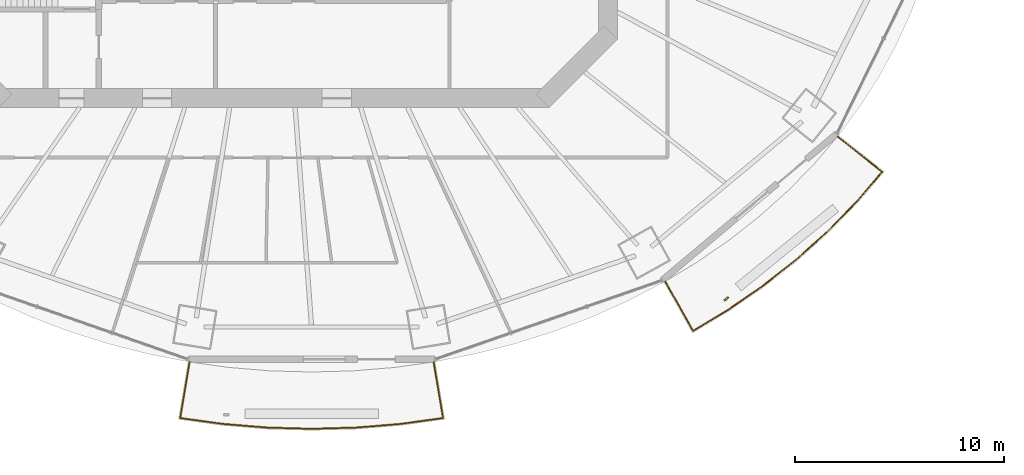
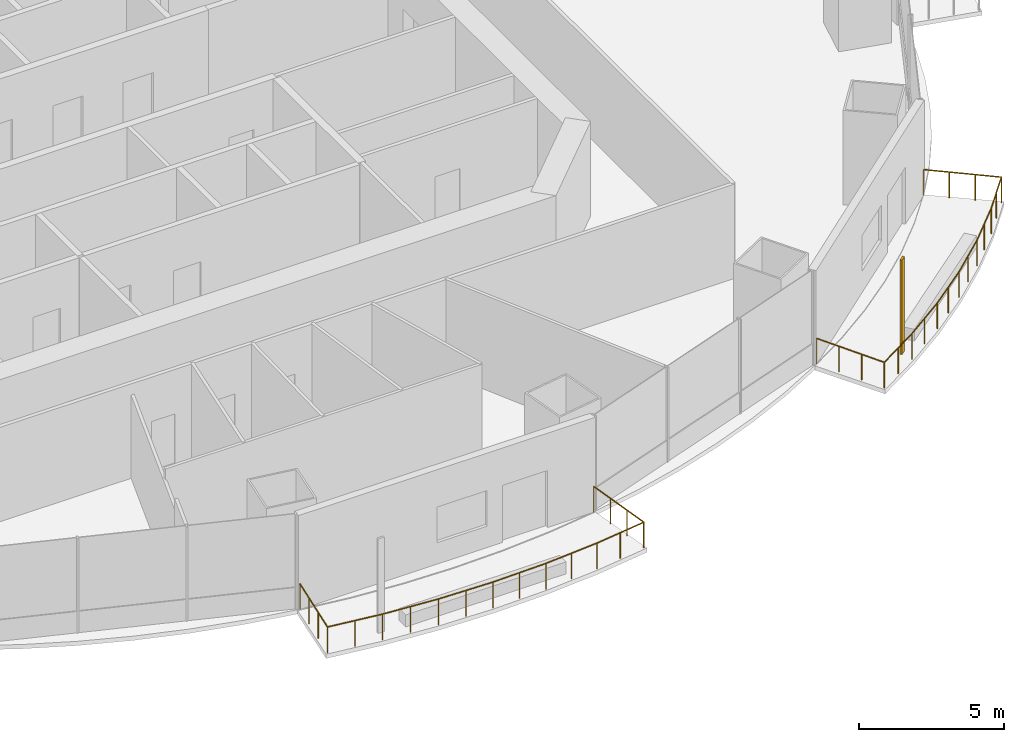
# One storey, part 15 of 19: 2 railings, 1 shading device.
"""IFC4 building model written with IfcOpenShell, lengths in metres."""

from ifc_helpers import new_model, si_unit, direction, frame, origin, origin_2d, place, context, subcontext, project, spatial, rectangle, circle, extrude, material, material_profile, profile_set, type_object, element, save


model = new_model("IFC4")

# Units and contexts
model_context = context("Model", 3, precision=1e-05, world=origin(), true_north=direction((0.0, 1.0)))
body_context = subcontext(model_context, "Body", "Model", "MODEL_VIEW")
ifc_project = project(units=[si_unit("LENGTHUNIT", "METRE"), si_unit("AREAUNIT", "SQUARE_METRE"), si_unit("VOLUMEUNIT", "CUBIC_METRE"), si_unit("PLANEANGLEUNIT", "RADIAN"), si_unit("MASSUNIT", "GRAM", prefix="KILO")], contexts=[model_context])

# Site, building, storey
site_placement = place(None, origin())
site = spatial("IfcSite", under=ifc_project, at=site_placement, CompositionType="ELEMENT")
building_placement = place(site_placement, origin())
building = spatial("IfcBuilding", under=site, at=building_placement, Name="Marenthal Gate Tower", CompositionType="ELEMENT")
storey_placement = place(building_placement, frame((0.0, 0.0, 235.75)))
storey = spatial("IfcBuildingStorey", under=building, at=storey_placement, Name="L52", CompositionType="ELEMENT", Elevation=235.75)

# Railings
ifc_material_1 = material(Name="Stainless steel", Category="steel")
railing_type = type_object("IfcRailingType", Name="Balcony guard 1100", PredefinedType="GUARDRAIL", material=ifc_material_1)
railing_1_placement = place(storey_placement, frame((7.64501953125, -25.641845703125, 0.0)))
element("IfcRailing", 1, at=railing_1_placement, inside=storey, type_object=railing_type, Name="Balcony guard L52 bay 12", PredefinedType="GUARDRAIL", context=body_context, shape_type="SweptSolid", body=[
    extrude(circle(Radius=0.02392578125, at=origin_2d()), frame((0.0, 0.0, 1.076171875), z_axis=(0.164948720809, -0.986192324793, -0.014717948973), x_axis=(0.986299155665, 0.164966589145, 0.0)), (0.0, 0.0, 1.0), 2.720458984375),
    extrude(circle(Radius=0.02392578125, at=origin_2d()), frame((0.44873046875, -2.682861328125, 1.0361328125), z_axis=(-0.990660551033, -0.13635128392, 0.0), x_axis=(0.13635128392, -0.990660551033, 0.0)), (0.0, 0.0, 1.0), 2.050048828125),
    extrude(circle(Radius=0.02392578125, at=origin_2d()), frame((-1.582275390625, -2.96240234375, 1.0361328125), z_axis=(-0.996592931449, -0.082477445314, 0.0), x_axis=(0.082477445314, -0.996592931449, 0.0)), (0.0, 0.0, 1.0), 2.13427734375),
    extrude(circle(Radius=0.02392578125, at=origin_2d()), frame((-3.709228515625, -3.138427734375, 1.0361328125), z_axis=(-0.999620737923, -0.027538705743, 0.0), x_axis=(0.027538705743, -0.999620737923, 0.0)), (0.0, 0.0, 1.0), 2.136474609375),
    extrude(circle(Radius=0.02392578125, at=origin_2d()), frame((-5.844970703125, -3.197265625, 1.0361328125), z_axis=(-0.999620737923, 0.027538705743, 0.0), x_axis=(-0.027538705743, -0.999620737923, 0.0)), (0.0, 0.0, 1.0), 2.136474609375),
    extrude(circle(Radius=0.02392578125, at=origin_2d()), frame((-7.980712890625, -3.138427734375, 1.0361328125), z_axis=(-0.996593709479, 0.082468043674, 0.0), x_axis=(-0.082468043674, -0.996593709479, 0.0)), (0.0, 0.0, 1.0), 2.134521484375),
    extrude(circle(Radius=0.02392578125, at=origin_2d()), frame((-10.10791015625, -2.96240234375, 1.0361328125), z_axis=(-0.990660551033, 0.13635128392, 0.0), x_axis=(-0.13635128392, -0.990660551033, 0.0)), (0.0, 0.0, 1.0), 2.050048828125),
    extrude(circle(Radius=0.02392578125, at=origin_2d()), frame((-12.138916015625, -2.682861328125, 1.0361328125), z_axis=(0.165036020711, 0.986177722452, 0.014717731048), x_axis=(-0.986284548578, 0.165053897974, 0.0)), (0.0, 0.0, 1.0), 2.720458984375),
    extrude(circle(Radius=0.02099609375, at=origin_2d()), origin(), (0.0, 0.0, 1.0), 1.052001953125),
    extrude(circle(Radius=0.02099609375, at=origin_2d()), frame((0.149658203125, -0.894287109375, -0.013427734375)), (0.0, 0.0, 1.0), 1.052001953125),
    extrude(circle(Radius=0.02099609375, at=origin_2d()), frame((0.299072265625, -1.78857421875, -0.026611328125)), (0.0, 0.0, 1.0), 1.052001953125),
    extrude(circle(Radius=0.02099609375, at=origin_2d()), frame((0.44873046875, -2.682861328125, -0.0400390625)), (0.0, 0.0, 1.0), 1.052001953125),
    extrude(circle(Radius=0.02099609375, at=origin_2d()), frame((-0.56689453125, -2.82275390625, -0.0400390625)), (0.0, 0.0, 1.0), 1.052001953125),
    extrude(circle(Radius=0.02099609375, at=origin_2d()), frame((-1.582275390625, -2.96240234375, -0.0400390625)), (0.0, 0.0, 1.0), 1.052001953125),
    extrude(circle(Radius=0.02099609375, at=origin_2d()), frame((-2.645751953125, -3.05029296875, -0.0400390625)), (0.0, 0.0, 1.0), 1.052001953125),
    extrude(circle(Radius=0.02099609375, at=origin_2d()), frame((-3.709228515625, -3.138427734375, -0.0400390625)), (0.0, 0.0, 1.0), 1.052001953125),
    extrude(circle(Radius=0.02099609375, at=origin_2d()), frame((-4.777099609375, -3.16796875, -0.0400390625)), (0.0, 0.0, 1.0), 1.052001953125),
    extrude(circle(Radius=0.02099609375, at=origin_2d()), frame((-5.844970703125, -3.197265625, -0.0400390625)), (0.0, 0.0, 1.0), 1.052001953125),
    extrude(circle(Radius=0.02099609375, at=origin_2d()), frame((-6.912841796875, -3.16796875, -0.0400390625)), (0.0, 0.0, 1.0), 1.052001953125),
    extrude(circle(Radius=0.02099609375, at=origin_2d()), frame((-7.980712890625, -3.138427734375, -0.0400390625)), (0.0, 0.0, 1.0), 1.052001953125),
    extrude(circle(Radius=0.02099609375, at=origin_2d()), frame((-9.04443359375, -3.05029296875, -0.0400390625)), (0.0, 0.0, 1.0), 1.052001953125),
    extrude(circle(Radius=0.02099609375, at=origin_2d()), frame((-10.10791015625, -2.96240234375, -0.0400390625)), (0.0, 0.0, 1.0), 1.052001953125),
    extrude(circle(Radius=0.02099609375, at=origin_2d()), frame((-11.12353515625, -2.82275390625, -0.0400390625)), (0.0, 0.0, 1.0), 1.052001953125),
    extrude(circle(Radius=0.02099609375, at=origin_2d()), frame((-12.138916015625, -2.682861328125, -0.0400390625)), (0.0, 0.0, 1.0), 1.052001953125),
    extrude(circle(Radius=0.02099609375, at=origin_2d()), frame((-11.9892578125, -1.78857421875, -0.026611328125)), (0.0, 0.0, 1.0), 1.052001953125),
    extrude(circle(Radius=0.02099609375, at=origin_2d()), frame((-11.839599609375, -0.894287109375, -0.013427734375)), (0.0, 0.0, 1.0), 1.052001953125),
    extrude(circle(Radius=0.02099609375, at=origin_2d()), frame((-11.68994140625, 0.0, 0.0)), (0.0, 0.0, 1.0), 1.052001953125),
])
railing_2_placement = place(storey_placement, frame((26.997802734375, -14.84033203125, 0.0)))
element("IfcRailing", 2, at=railing_2_placement, inside=storey, type_object=railing_type, Name="Balcony guard L52 bay 14", PredefinedType="GUARDRAIL", context=body_context, shape_type="SweptSolid", body=[
    extrude(circle(Radius=0.02392578125, at=origin_2d()), frame((0.0, 0.0, 1.076171875), z_axis=(0.782977160261, -0.621876288795, -0.014718965415), x_axis=(0.621943663853, 0.783061989241, 0.0)), (0.0, 0.0, 1.0), 2.72021484375),
    extrude(circle(Radius=0.02392578125, at=origin_2d()), frame((2.1298828125, -1.691650390625, 1.0361328125), z_axis=(-0.649918406787, -0.760003989805, 0.0), x_axis=(0.760003989805, -0.649918406787, 0.0)), (0.0, 0.0, 1.0), 1.889404296875),
    extrude(circle(Radius=0.02392578125, at=origin_2d()), frame((0.90185546875, -3.127685546875, 1.0361328125), z_axis=(-0.698634154887, -0.715479082591, 0.0), x_axis=(0.715479082591, -0.698634154887, 0.0)), (0.0, 0.0, 1.0), 1.985595703125),
    extrude(circle(Radius=0.02392578125, at=origin_2d()), frame((-0.4853515625, -4.54833984375, 1.0361328125), z_axis=(-0.74417856937, -0.667980730927, 0.0), x_axis=(0.667980730927, -0.74417856937, 0.0)), (0.0, 0.0, 1.0), 2.00244140625),
    extrude(circle(Radius=0.02392578125, at=origin_2d()), frame((-1.9755859375, -5.885986328125, 1.0361328125), z_axis=(-0.785764137511, -0.618526248595, 0.0), x_axis=(0.618526248595, -0.785764137511, 0.0)), (0.0, 0.0, 1.0), 2.01904296875),
    extrude(circle(Radius=0.02392578125, at=origin_2d()), frame((-3.56201171875, -7.134765625, 1.0361328125), z_axis=(-0.823201188943, -0.567749771046, 0.0), x_axis=(0.567749771046, -0.823201188943, 0.0)), (0.0, 0.0, 1.0), 2.03564453125),
    extrude(circle(Radius=0.02392578125, at=origin_2d()), frame((-5.23779296875, -8.29052734375, 1.0361328125), z_axis=(-0.855948649987, -0.517060836445, 0.0), x_axis=(0.517060836445, -0.855948649987, 0.0)), (0.0, 0.0, 1.0), 1.9716796875),
    extrude(circle(Radius=0.02392578125, at=origin_2d()), frame((-6.925537109375, -9.31005859375, 1.0361328125), z_axis=(-0.489828869087, 0.871694357905, 0.014718199804), x_axis=(-0.871788788819, -0.489881932397, 0.0)), (0.0, 0.0, 1.0), 2.720458984375),
    extrude(circle(Radius=0.02099609375, at=origin_2d()), origin(), (0.0, 0.0, 1.0), 1.052001953125),
    extrude(circle(Radius=0.02099609375, at=origin_2d()), frame((0.7099609375, -0.56396484375, -0.013427734375)), (0.0, 0.0, 1.0), 1.052001953125),
    extrude(circle(Radius=0.02099609375, at=origin_2d()), frame((1.419921875, -1.127685546875, -0.026611328125)), (0.0, 0.0, 1.0), 1.052001953125),
    extrude(circle(Radius=0.02099609375, at=origin_2d()), frame((2.1298828125, -1.691650390625, -0.0400390625)), (0.0, 0.0, 1.0), 1.052001953125),
    extrude(circle(Radius=0.02099609375, at=origin_2d()), frame((1.515869140625, -2.40966796875, -0.0400390625)), (0.0, 0.0, 1.0), 1.052001953125),
    extrude(circle(Radius=0.02099609375, at=origin_2d()), frame((0.90185546875, -3.127685546875, -0.0400390625)), (0.0, 0.0, 1.0), 1.052001953125),
    extrude(circle(Radius=0.02099609375, at=origin_2d()), frame((0.208251953125, -3.837890625, -0.0400390625)), (0.0, 0.0, 1.0), 1.052001953125),
    extrude(circle(Radius=0.02099609375, at=origin_2d()), frame((-0.4853515625, -4.54833984375, -0.0400390625)), (0.0, 0.0, 1.0), 1.052001953125),
    extrude(circle(Radius=0.02099609375, at=origin_2d()), frame((-1.23046875, -5.21728515625, -0.0400390625)), (0.0, 0.0, 1.0), 1.052001953125),
    extrude(circle(Radius=0.02099609375, at=origin_2d()), frame((-1.9755859375, -5.885986328125, -0.0400390625)), (0.0, 0.0, 1.0), 1.052001953125),
    extrude(circle(Radius=0.02099609375, at=origin_2d()), frame((-2.768798828125, -6.51025390625, -0.0400390625)), (0.0, 0.0, 1.0), 1.052001953125),
    extrude(circle(Radius=0.02099609375, at=origin_2d()), frame((-3.56201171875, -7.134765625, -0.0400390625)), (0.0, 0.0, 1.0), 1.052001953125),
    extrude(circle(Radius=0.02099609375, at=origin_2d()), frame((-4.39990234375, -7.712646484375, -0.0400390625)), (0.0, 0.0, 1.0), 1.052001953125),
    extrude(circle(Radius=0.02099609375, at=origin_2d()), frame((-5.23779296875, -8.29052734375, -0.0400390625)), (0.0, 0.0, 1.0), 1.052001953125),
    extrude(circle(Radius=0.02099609375, at=origin_2d()), frame((-6.08154296875, -8.80029296875, -0.0400390625)), (0.0, 0.0, 1.0), 1.052001953125),
    extrude(circle(Radius=0.02099609375, at=origin_2d()), frame((-6.925537109375, -9.31005859375, -0.0400390625)), (0.0, 0.0, 1.0), 1.052001953125),
    extrude(circle(Radius=0.02099609375, at=origin_2d()), frame((-7.36962890625, -8.51953125, -0.026611328125)), (0.0, 0.0, 1.0), 1.052001953125),
    extrude(circle(Radius=0.02099609375, at=origin_2d()), frame((-7.81396484375, -7.729248046875, -0.013427734375)), (0.0, 0.0, 1.0), 1.052001953125),
    extrude(circle(Radius=0.02099609375, at=origin_2d()), frame((-8.258056640625, -6.938720703125, 0.0)), (0.0, 0.0, 1.0), 1.052001953125),
])

# Shading device
ifc_material_2 = material(Name="Terracotta", Category="masonry")
ifc_material_profile = material_profile(ifc_material_2, rectangle(XDim=0.25, YDim=0.080078125, at=origin_2d()), Name="Terracotta baguette 250x80")
ifc_profile_set = profile_set([ifc_material_profile], Name="Terracotta")
shading_device_type = type_object("IfcShadingDeviceType", Name="Terracotta BAGUETTE SCREEN 250x80", PredefinedType="USERDEFINED", material=ifc_profile_set)
shading_device_placement = place(storey_placement, frame((21.669189453125, -22.619140625, -0.0400390625), z_axis=(0.0, 0.0, 1.0), x_axis=(0.765469470301, 0.643472213881, 0.0)))
element("IfcShadingDevice", 3, at=shading_device_placement, inside=storey, type_object=shading_device_type, Name="Terracotta BAGUETTE L52 bay 14L", ObjectType="BAGUETTE SCREEN", PredefinedType="USERDEFINED", context=body_context, shape_type="SweptSolid", body=[
    extrude(rectangle(XDim=0.25, YDim=0.080078125, at=origin_2d()), origin(), (0.0, 0.0, 1.0), 3.969970703125),
])

save(model, "model.ifc")
